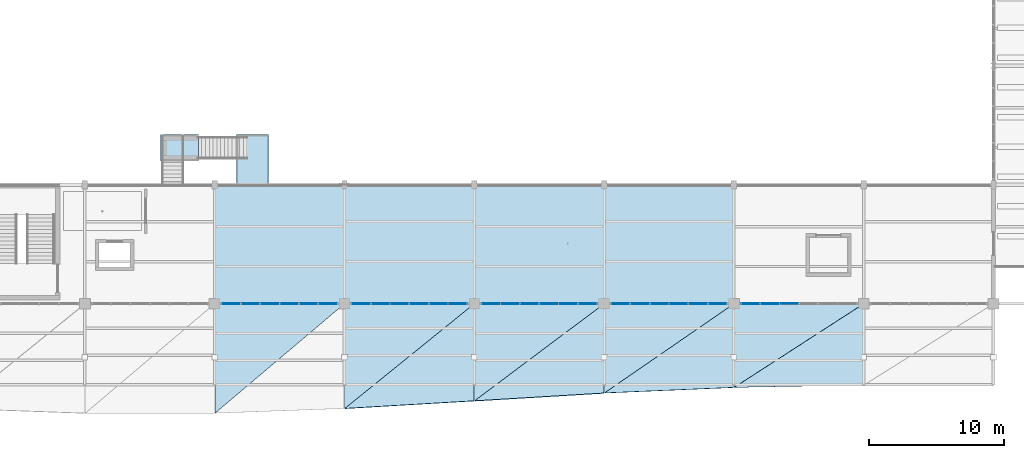
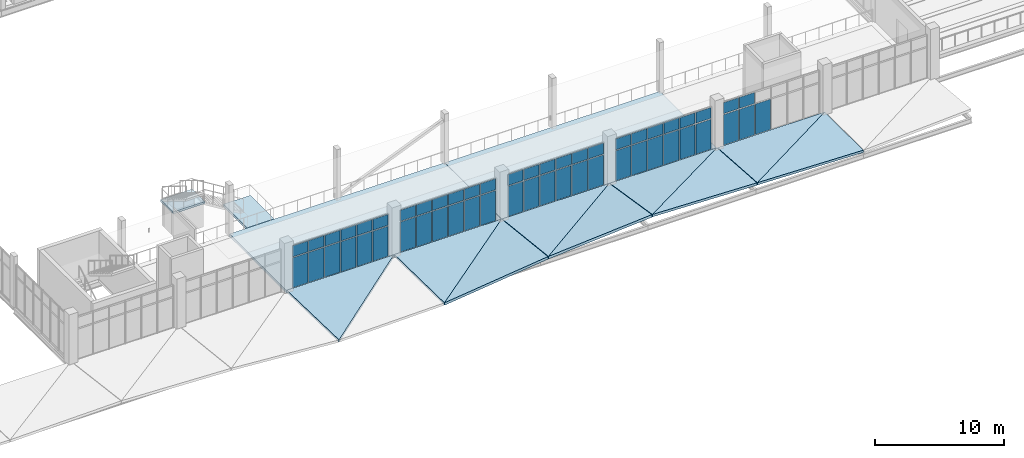
# One storey, part 119 of 157: 53 plates, 13 slabs, 6 elements without a shape of their own.
"""IFC4 building model written with IfcOpenShell, lengths in metres."""

from ifc_helpers import new_model, si_unit, direction, frame, origin, origin_2d, place, context, subcontext, project, spatial, polyline, rectangle, outline, extrude, material, layer, layer_set, type_object, element, aggregate, save


model = new_model("IFC4")

# Units and contexts
model_context = context("Model", 3, precision=1e-05, world=origin(), true_north=direction((0.0, 1.0)))
body_context = subcontext(model_context, "Body", "Model", "MODEL_VIEW")
ifc_project = project(units=[si_unit("LENGTHUNIT", "METRE"), si_unit("AREAUNIT", "SQUARE_METRE"), si_unit("VOLUMEUNIT", "CUBIC_METRE"), si_unit("PLANEANGLEUNIT", "RADIAN"), si_unit("MASSUNIT", "GRAM", prefix="KILO")], contexts=[model_context])

# Site, building, storey
site_placement = place(None, origin())
site = spatial("IfcSite", under=ifc_project, at=site_placement, CompositionType="ELEMENT")
building_placement = place(site_placement, origin())
building = spatial("IfcBuilding", under=site, at=building_placement, Name="Chalmorin Arch Market", CompositionType="ELEMENT")
storey_placement = place(building_placement, frame((0.0, 0.0, 4.800048828125)))
storey = spatial("IfcBuildingStorey", under=building, at=storey_placement, Name="L01", CompositionType="ELEMENT", Elevation=4.800048828125)

# Slabs
ifc_material_1 = material(Name="Concrete C40/50", Category="concrete")
ifc_layer_1 = layer(ifc_material_1, 0.219970703125)
ifc_layer_set_1 = layer_set([ifc_layer_1], Name="Concrete C40/50")
slab_type_1 = type_object("IfcSlabType", Name="ColonnadeCanopySlab-220", PredefinedType="ROOF", material=ifc_layer_set_1)
slab_1_placement = place(storey_placement, frame((67.219970703125, -2.10205078125, 0.25390625), z_axis=(0.0, 0.026452798925, 0.999650063487), x_axis=(0.763560331821, 0.645510527213, -0.017081537634)))
element("IfcSlab", 1, at=slab_1_placement, inside=storey, type_object=slab_type_1, Name="RS-220-074", PredefinedType="ROOF", context=body_context, shape_type="SweptSolid", body=[
    extrude(outline(polyline([(0.0, 0.0), (12.52037094561495, -9.749145934989656e-16), (5.220689433547392, 6.173278718664203), (0.0, 0.0)])), origin(), (0.0, 0.0, -1.0), 0.219970703125),
])
slab_2_placement = place(storey_placement, frame((76.820068359375, -1.7509765625, 0.1728515625), z_axis=(-0.075677214539, 0.110603971441, 0.990979172688), x_axis=(0.99584593801, 0.058849950215, 0.069480580807)))
element("IfcSlab", 2, at=slab_2_placement, inside=storey, type_object=slab_type_1, Name="RS-220-075", PredefinedType="ROOF", context=body_context, shape_type="SweptSolid", body=[
    extrude(outline(polyline([(0.0, 0.0), (9.599692169484364, -8.326672684688674e-17), (9.965840938033617, 7.201208409369984), (0.0, 0.0)])), origin(), (0.0, 0.0, -1.0), 0.219970703125),
])
slab_3_placement = place(storey_placement, frame((76.820068359375, -1.7509765625, 0.1728515625), z_axis=(0.0, 0.017176774546, 0.999852468325), x_axis=(0.777515251788, 0.628771304317, -0.010801856551)))
element("IfcSlab", 3, at=slab_3_placement, inside=storey, type_object=slab_type_1, Name="RS-220-076", PredefinedType="ROOF", context=body_context, shape_type="SweptSolid", body=[
    extrude(outline(polyline([(0.0, 0.0), (12.295340099296471, -1.9526481126463935e-15), (4.862438557727325, 6.011823937168875), (0.0, 0.0)])), origin(), (0.0, 0.0, -1.0), 0.219970703125),
])
slab_4_placement = place(storey_placement, frame((86.419921875, -1.18408203125, 0.843017578125), z_axis=(-0.034616375279, 0.156823077434, 0.98701987262), x_axis=(0.997871379927, 0.060038433299, 0.025457722778)))
element("IfcSlab", 4, at=slab_4_placement, inside=storey, type_object=slab_type_1, Name="RS-220-077", PredefinedType="ROOF", context=body_context, shape_type="SweptSolid", body=[
    extrude(outline(polyline([(0.0, 0.0), (9.580451735620075, 3.469446951953614e-17), (9.949385945237093, 6.661306600743838), (0.0, 0.0)])), origin(), (0.0, 0.0, -1.0), 0.219970703125),
])
slab_5_placement = place(storey_placement, frame((86.419921875, -1.18408203125, 0.843017578125), z_axis=(0.0, 0.111386756782, 0.993777133171), x_axis=(0.798438702451, 0.598329467407, -0.067063304877)))
element("IfcSlab", 5, at=slab_5_placement, inside=storey, type_object=slab_type_1, Name="RS-220-078", PredefinedType="ROOF", context=body_context, shape_type="SweptSolid", body=[
    extrude(outline(polyline([(0.0, 0.0), (11.973440872046549, 5.551115123125783e-16), (4.340320093097759, 5.755882859293911), (0.0, 0.0)])), origin(), (0.0, 0.0, -1.0), 0.219970703125),
])
slab_6_placement = place(storey_placement, frame((96.02001953125, -0.60693359375, 1.0859375), z_axis=(0.060403181315, 0.070431856101, 0.995686099799), x_axis=(0.997069809205, 0.042650082497, -0.063504063133)))
element("IfcSlab", 6, at=slab_6_placement, inside=storey, type_object=slab_type_1, Name="RS-220-079", PredefinedType="ROOF", context=body_context, shape_type="SweptSolid", body=[
    extrude(outline(polyline([(0.0, 0.0), (9.58815371349987, -2.0816681711721685e-17), (9.879397026633487, 6.186564079875345), (0.0, 0.0)])), origin(), (0.0, 0.0, -1.0), 0.219970703125),
])
slab_7_placement = place(storey_placement, frame((96.02001953125, -0.60693359375, 1.0859375), z_axis=(0.0, 0.156819686477, 0.987627250502), x_axis=(0.820142051725, 0.56508076397, -0.089725944879)))
element("IfcSlab", 7, at=slab_7_placement, inside=storey, type_object=slab_type_1, Name="RS-220-080", PredefinedType="ROOF", context=body_context, shape_type="SweptSolid", body=[
    extrude(outline(polyline([(0.0, 0.0), (11.656588725877672, 1.6653345369377348e-16), (3.815982656193098, 5.469882702212057), (0.0, 0.0)])), origin(), (0.0, 0.0, -1.0), 0.219970703125),
])
slab_8_placement = place(storey_placement, frame((105.6201171875, -0.197021484375, 0.473876953125), z_axis=(0.04061275793, 0.00732036251, 0.999148145265), x_axis=(0.998994619015, 0.018700693509, -0.04074353006)))
element("IfcSlab", 8, at=slab_8_placement, inside=storey, type_object=slab_type_1, Name="RS-220-081", PredefinedType="ROOF", context=body_context, shape_type="SweptSolid", body=[
    extrude(outline(polyline([(0.0, 0.0), (9.569435381496723, 1.0408340855860843e-17), (9.68339350492047, 5.997125232250343), (0.0, 0.0)])), origin(), (0.0, 0.0, -1.0), 0.219970703125),
])
slab_9_placement = place(storey_placement, frame((105.6201171875, -0.197021484375, 0.473876953125), z_axis=(0.0, 0.070061787896, 0.997542653663), x_axis=(0.83931153817, 0.542314815416, -0.038089143789)))
element("IfcSlab", 9, at=slab_9_placement, inside=storey, type_object=slab_type_1, Name="RS-220-082", PredefinedType="ROOF", context=body_context, shape_type="SweptSolid", body=[
    extrude(outline(polyline([(0.0, 0.0), (11.390066761105032, -3.0184188481996443e-16), (3.3664041878304176, 5.197200331756497), (0.0, 0.0)])), origin(), (0.0, 0.0, -1.0), 0.219970703125),
])
ifc_layer_2 = layer(ifc_material_1, 0.25)
ifc_layer_set_2 = layer_set([ifc_layer_2], Name="Concrete C40/50")
slab_type_2 = type_object("IfcSlabType", Name="MezzanineDeckSlab-250", PredefinedType="FLOOR", material=ifc_layer_set_2)
slab_10_placement = place(storey_placement, frame((0.0, 0.0, -0.25)))
element("IfcSlab", 10, at=slab_10_placement, inside=storey, type_object=slab_type_2, Name="FS-250-087", PredefinedType="FLOOR", context=body_context, shape_type="SweptSolid", body=[
    extrude(outline(polyline([(67.2099609375, 6.010009765625), (86.389892578125, 6.010009765625), (86.389892578125, 14.800048828125), (67.2099609375, 14.800048828125), (67.2099609375, 6.010009765625)])), origin(), (0.0, 0.0, 1.0), 0.25),
])
slab_11_placement = place(storey_placement, frame((0.0, 0.0, -0.25)))
element("IfcSlab", 11, at=slab_11_placement, inside=storey, type_object=slab_type_2, Name="FS-250-089", PredefinedType="FLOOR", context=body_context, shape_type="SweptSolid", body=[
    extrude(outline(polyline([(86.409912109375, 6.010009765625), (105.590087890625, 6.010009765625), (105.590087890625, 14.800048828125), (86.409912109375, 14.800048828125), (86.409912109375, 6.010009765625)])), origin(), (0.0, 0.0, 1.0), 0.25),
])
slab_12_placement = place(storey_placement, frame((0.0, 0.0, -0.25)))
element("IfcSlab", 12, at=slab_12_placement, inside=storey, type_object=slab_type_2, Name="LS-FST3-B", PredefinedType="FLOOR", context=body_context, shape_type="SweptSolid", body=[
    extrude(outline(polyline([(68.800048828125, 14.820068359375), (71.199951171875, 14.820068359375), (71.199951171875, 18.5), (68.800048828125, 18.5), (68.800048828125, 14.820068359375)])), origin(), (0.0, 0.0, 1.0), 0.25),
])

# Stair, slab
ifc_material_2 = material(Name="Steel A992 Grade 50", Category="steel")
stair_type = type_object("IfcStairType", Name="GalleryFeatureStair-Steel", PredefinedType="QUARTER_TURN_STAIR", material=ifc_material_2)
stair_placement = place(storey_placement, origin())
stair = element("IfcStair", 13, at=stair_placement, inside=storey, type_object=stair_type, Name="ST-28", PredefinedType="QUARTER_TURN_STAIR")
ifc_layer_3 = layer(ifc_material_1, 0.195068359375)
ifc_layer_set_3 = layer_set([ifc_layer_3], Name="Concrete C40/50")
slab_type_3 = type_object("IfcSlabType", Name="StairLandingSlab-195", PredefinedType="LANDING", material=ifc_layer_set_3)
slab_13_placement = place(storey_placement, frame((0.0, 0.0, 2.204833984375)))
slab_13 = element("IfcSlab", 14, at=slab_13_placement, type_object=slab_type_3, Name="LS-028", PredefinedType="LANDING", context=body_context, shape_type="SweptSolid", body=[
    extrude(outline(polyline([(63.199951171875, 16.550048828125), (66.02001953125, 16.550048828125), (66.02001953125, 18.5), (63.199951171875, 18.5), (63.199951171875, 16.550048828125)])), origin(), (0.0, 0.0, 1.0), 0.195068359375),
])
aggregate(stair, [slab_13])

# Curtain wall, plates
ifc_material_3 = material(Name="Aluminium 6063-T6", Category="aluminium")
ifc_layer_4 = layer(ifc_material_3, 0.159912109375)
ifc_layer_set_4 = layer_set([ifc_layer_4], Name="Aluminium 6063-T6")
curtain_wall_type_1 = type_object("IfcCurtainWallType", Name="MarketClerestoryCurtainWall-CW1-8580x4100", PredefinedType="NOTDEFINED", material=ifc_layer_set_4)
curtain_wall_1_placement = place(storey_placement, origin())
curtain_wall_1 = element("IfcCurtainWall", 15, at=curtain_wall_1_placement, inside=storey, type_object=curtain_wall_type_1, Name="CW-01-007", PredefinedType="NOTDEFINED")
ifc_material_4 = material(Name="Architectural Terracotta", Category="masonry")
ifc_layer_5 = layer(ifc_material_4, 0.044921875)
ifc_layer_set_5 = layer_set([ifc_layer_5], Name="Architectural Terracotta")
plate_type_1 = type_object("IfcPlateType", Name="TerracottaSpandrelPanel-45", PredefinedType="CURTAIN_PANEL", material=ifc_layer_set_5)
plate_1_placement = place(storey_placement, frame((68.425048828125, 6.0, 2.994140625), z_axis=(0.0, 0.0, 1.0), x_axis=(1.0, 0.0, 0.0)))
plate_1 = element("IfcPlate", 16, at=plate_1_placement, type_object=plate_type_1, Name="SP-45-007-01B", PredefinedType="CURTAIN_PANEL", context=body_context, shape_type="SweptSolid", body=[
    extrude(rectangle(XDim=1.35009765625, YDim=0.044921875, at=origin_2d()), origin(), (0.0, 0.0, 1.0), 1.031982421875),
])
plate_2_placement = place(storey_placement, frame((69.85498046875, 6.0, 2.994140625), z_axis=(0.0, 0.0, 1.0), x_axis=(1.0, 0.0, 0.0)))
plate_2 = element("IfcPlate", 17, at=plate_2_placement, type_object=plate_type_1, Name="SP-45-007-02B", PredefinedType="CURTAIN_PANEL", context=body_context, shape_type="SweptSolid", body=[
    extrude(rectangle(XDim=1.35009765625, YDim=0.044921875, at=origin_2d()), origin(), (0.0, 0.0, 1.0), 1.031982421875),
])
plate_3_placement = place(storey_placement, frame((71.284912109375, 6.0, 2.994140625), z_axis=(0.0, 0.0, 1.0), x_axis=(1.0, 0.0, 0.0)))
plate_3 = element("IfcPlate", 18, at=plate_3_placement, type_object=plate_type_1, Name="SP-45-007-03B", PredefinedType="CURTAIN_PANEL", context=body_context, shape_type="SweptSolid", body=[
    extrude(rectangle(XDim=1.35009765625, YDim=0.044921875, at=origin_2d()), origin(), (0.0, 0.0, 1.0), 1.031982421875),
])
plate_4_placement = place(storey_placement, frame((72.715087890625, 6.0, 2.994140625), z_axis=(0.0, 0.0, 1.0), x_axis=(1.0, 0.0, 0.0)))
plate_4 = element("IfcPlate", 19, at=plate_4_placement, type_object=plate_type_1, Name="SP-45-007-04B", PredefinedType="CURTAIN_PANEL", context=body_context, shape_type="SweptSolid", body=[
    extrude(rectangle(XDim=1.35009765625, YDim=0.044921875, at=origin_2d()), origin(), (0.0, 0.0, 1.0), 1.031982421875),
])
plate_5_placement = place(storey_placement, frame((74.14501953125, 6.0, 2.994140625), z_axis=(0.0, 0.0, 1.0), x_axis=(1.0, 0.0, 0.0)))
plate_5 = element("IfcPlate", 20, at=plate_5_placement, type_object=plate_type_1, Name="SP-45-007-05B", PredefinedType="CURTAIN_PANEL", context=body_context, shape_type="SweptSolid", body=[
    extrude(rectangle(XDim=1.35009765625, YDim=0.044921875, at=origin_2d()), origin(), (0.0, 0.0, 1.0), 1.031982421875),
])
plate_6_placement = place(storey_placement, frame((75.574951171875, 6.0, 2.994140625), z_axis=(0.0, 0.0, 1.0), x_axis=(1.0, 0.0, 0.0)))
plate_6 = element("IfcPlate", 21, at=plate_6_placement, type_object=plate_type_1, Name="SP-45-007-06B", PredefinedType="CURTAIN_PANEL", context=body_context, shape_type="SweptSolid", body=[
    extrude(rectangle(XDim=1.35009765625, YDim=0.044921875, at=origin_2d()), origin(), (0.0, 0.0, 1.0), 1.031982421875),
])

curtain_wall_2_placement = place(storey_placement, origin())
curtain_wall_2 = element("IfcCurtainWall", 22, at=curtain_wall_2_placement, inside=storey, type_object=curtain_wall_type_1, Name="CW-01-011", PredefinedType="NOTDEFINED")
plate_7_placement = place(storey_placement, frame((78.02490234375, 6.0, 2.994140625), z_axis=(0.0, 0.0, 1.0), x_axis=(1.0, 0.0, 0.0)))
plate_7 = element("IfcPlate", 23, at=plate_7_placement, type_object=plate_type_1, Name="SP-45-011-01B", PredefinedType="CURTAIN_PANEL", context=body_context, shape_type="SweptSolid", body=[
    extrude(rectangle(XDim=1.35009765625, YDim=0.044921875, at=origin_2d()), origin(), (0.0, 0.0, 1.0), 1.031982421875),
])
plate_8_placement = place(storey_placement, frame((79.455078125, 6.0, 2.994140625), z_axis=(0.0, 0.0, 1.0), x_axis=(1.0, 0.0, 0.0)))
plate_8 = element("IfcPlate", 24, at=plate_8_placement, type_object=plate_type_1, Name="SP-45-011-02B", PredefinedType="CURTAIN_PANEL", context=body_context, shape_type="SweptSolid", body=[
    extrude(rectangle(XDim=1.35009765625, YDim=0.044921875, at=origin_2d()), origin(), (0.0, 0.0, 1.0), 1.031982421875),
])
plate_9_placement = place(storey_placement, frame((80.885009765625, 6.0, 2.994140625), z_axis=(0.0, 0.0, 1.0), x_axis=(1.0, 0.0, 0.0)))
plate_9 = element("IfcPlate", 25, at=plate_9_placement, type_object=plate_type_1, Name="SP-45-011-03B", PredefinedType="CURTAIN_PANEL", context=body_context, shape_type="SweptSolid", body=[
    extrude(rectangle(XDim=1.35009765625, YDim=0.044921875, at=origin_2d()), origin(), (0.0, 0.0, 1.0), 1.031982421875),
])
plate_10_placement = place(storey_placement, frame((82.31494140625, 6.0, 2.994140625), z_axis=(0.0, 0.0, 1.0), x_axis=(1.0, 0.0, 0.0)))
plate_10 = element("IfcPlate", 26, at=plate_10_placement, type_object=plate_type_1, Name="SP-45-011-04B", PredefinedType="CURTAIN_PANEL", context=body_context, shape_type="SweptSolid", body=[
    extrude(rectangle(XDim=1.35009765625, YDim=0.044921875, at=origin_2d()), origin(), (0.0, 0.0, 1.0), 1.031982421875),
])
plate_11_placement = place(storey_placement, frame((83.7451171875, 6.0, 2.994140625), z_axis=(0.0, 0.0, 1.0), x_axis=(1.0, 0.0, 0.0)))
plate_11 = element("IfcPlate", 27, at=plate_11_placement, type_object=plate_type_1, Name="SP-45-011-05B", PredefinedType="CURTAIN_PANEL", context=body_context, shape_type="SweptSolid", body=[
    extrude(rectangle(XDim=1.35009765625, YDim=0.044921875, at=origin_2d()), origin(), (0.0, 0.0, 1.0), 1.031982421875),
])
plate_12_placement = place(storey_placement, frame((85.175048828125, 6.0, 2.994140625), z_axis=(0.0, 0.0, 1.0), x_axis=(1.0, 0.0, 0.0)))
plate_12 = element("IfcPlate", 28, at=plate_12_placement, type_object=plate_type_1, Name="SP-45-011-06B", PredefinedType="CURTAIN_PANEL", context=body_context, shape_type="SweptSolid", body=[
    extrude(rectangle(XDim=1.35009765625, YDim=0.044921875, at=origin_2d()), origin(), (0.0, 0.0, 1.0), 1.031982421875),
])

curtain_wall_3_placement = place(storey_placement, origin())
curtain_wall_3 = element("IfcCurtainWall", 29, at=curtain_wall_3_placement, inside=storey, type_object=curtain_wall_type_1, Name="CW-01-013", PredefinedType="NOTDEFINED")
plate_13_placement = place(storey_placement, frame((87.625, 6.0, 2.994140625), z_axis=(0.0, 0.0, 1.0), x_axis=(1.0, 0.0, 0.0)))
plate_13 = element("IfcPlate", 30, at=plate_13_placement, type_object=plate_type_1, Name="SP-45-013-01B", PredefinedType="CURTAIN_PANEL", context=body_context, shape_type="SweptSolid", body=[
    extrude(rectangle(XDim=1.35009765625, YDim=0.044921875, at=origin_2d()), origin(), (0.0, 0.0, 1.0), 1.031982421875),
])
plate_14_placement = place(storey_placement, frame((89.054931640625, 6.0, 2.994140625), z_axis=(0.0, 0.0, 1.0), x_axis=(1.0, 0.0, 0.0)))
plate_14 = element("IfcPlate", 31, at=plate_14_placement, type_object=plate_type_1, Name="SP-45-013-02B", PredefinedType="CURTAIN_PANEL", context=body_context, shape_type="SweptSolid", body=[
    extrude(rectangle(XDim=1.35009765625, YDim=0.044921875, at=origin_2d()), origin(), (0.0, 0.0, 1.0), 1.031982421875),
])
plate_15_placement = place(storey_placement, frame((90.485107421875, 6.0, 2.994140625), z_axis=(0.0, 0.0, 1.0), x_axis=(1.0, 0.0, 0.0)))
plate_15 = element("IfcPlate", 32, at=plate_15_placement, type_object=plate_type_1, Name="SP-45-013-03B", PredefinedType="CURTAIN_PANEL", context=body_context, shape_type="SweptSolid", body=[
    extrude(rectangle(XDim=1.35009765625, YDim=0.044921875, at=origin_2d()), origin(), (0.0, 0.0, 1.0), 1.031982421875),
])
plate_16_placement = place(storey_placement, frame((91.9150390625, 6.0, 2.994140625), z_axis=(0.0, 0.0, 1.0), x_axis=(1.0, 0.0, 0.0)))
plate_16 = element("IfcPlate", 33, at=plate_16_placement, type_object=plate_type_1, Name="SP-45-013-04B", PredefinedType="CURTAIN_PANEL", context=body_context, shape_type="SweptSolid", body=[
    extrude(rectangle(XDim=1.35009765625, YDim=0.044921875, at=origin_2d()), origin(), (0.0, 0.0, 1.0), 1.031982421875),
])
plate_17_placement = place(storey_placement, frame((93.344970703125, 6.0, 2.994140625), z_axis=(0.0, 0.0, 1.0), x_axis=(1.0, 0.0, 0.0)))
plate_17 = element("IfcPlate", 34, at=plate_17_placement, type_object=plate_type_1, Name="SP-45-013-05B", PredefinedType="CURTAIN_PANEL", context=body_context, shape_type="SweptSolid", body=[
    extrude(rectangle(XDim=1.35009765625, YDim=0.044921875, at=origin_2d()), origin(), (0.0, 0.0, 1.0), 1.031982421875),
])
plate_18_placement = place(storey_placement, frame((94.77490234375, 6.0, 2.994140625), z_axis=(0.0, 0.0, 1.0), x_axis=(1.0, 0.0, 0.0)))
plate_18 = element("IfcPlate", 35, at=plate_18_placement, type_object=plate_type_1, Name="SP-45-013-06B", PredefinedType="CURTAIN_PANEL", context=body_context, shape_type="SweptSolid", body=[
    extrude(rectangle(XDim=1.35009765625, YDim=0.044921875, at=origin_2d()), origin(), (0.0, 0.0, 1.0), 1.031982421875),
])

curtain_wall_4_placement = place(storey_placement, origin())
curtain_wall_4 = element("IfcCurtainWall", 36, at=curtain_wall_4_placement, inside=storey, type_object=curtain_wall_type_1, Name="CW-01-017", PredefinedType="NOTDEFINED")
plate_19_placement = place(storey_placement, frame((97.22509765625, 6.0, 2.994140625), z_axis=(0.0, 0.0, 1.0), x_axis=(1.0, 0.0, 0.0)))
plate_19 = element("IfcPlate", 37, at=plate_19_placement, type_object=plate_type_1, Name="SP-45-017-01B", PredefinedType="CURTAIN_PANEL", context=body_context, shape_type="SweptSolid", body=[
    extrude(rectangle(XDim=1.35009765625, YDim=0.044921875, at=origin_2d()), origin(), (0.0, 0.0, 1.0), 1.031982421875),
])
plate_20_placement = place(storey_placement, frame((98.655029296875, 6.0, 2.994140625), z_axis=(0.0, 0.0, 1.0), x_axis=(1.0, 0.0, 0.0)))
plate_20 = element("IfcPlate", 38, at=plate_20_placement, type_object=plate_type_1, Name="SP-45-017-02B", PredefinedType="CURTAIN_PANEL", context=body_context, shape_type="SweptSolid", body=[
    extrude(rectangle(XDim=1.35009765625, YDim=0.044921875, at=origin_2d()), origin(), (0.0, 0.0, 1.0), 1.031982421875),
])
plate_21_placement = place(storey_placement, frame((100.0849609375, 6.0, 2.994140625), z_axis=(0.0, 0.0, 1.0), x_axis=(1.0, 0.0, 0.0)))
plate_21 = element("IfcPlate", 39, at=plate_21_placement, type_object=plate_type_1, Name="SP-45-017-03B", PredefinedType="CURTAIN_PANEL", context=body_context, shape_type="SweptSolid", body=[
    extrude(rectangle(XDim=1.35009765625, YDim=0.044921875, at=origin_2d()), origin(), (0.0, 0.0, 1.0), 1.031982421875),
])
plate_22_placement = place(storey_placement, frame((101.514892578125, 6.0, 2.994140625), z_axis=(0.0, 0.0, 1.0), x_axis=(1.0, 0.0, 0.0)))
plate_22 = element("IfcPlate", 40, at=plate_22_placement, type_object=plate_type_1, Name="SP-45-017-04B", PredefinedType="CURTAIN_PANEL", context=body_context, shape_type="SweptSolid", body=[
    extrude(rectangle(XDim=1.35009765625, YDim=0.044921875, at=origin_2d()), origin(), (0.0, 0.0, 1.0), 1.031982421875),
])
plate_23_placement = place(storey_placement, frame((102.945068359375, 6.0, 2.994140625), z_axis=(0.0, 0.0, 1.0), x_axis=(1.0, 0.0, 0.0)))
plate_23 = element("IfcPlate", 41, at=plate_23_placement, type_object=plate_type_1, Name="SP-45-017-05B", PredefinedType="CURTAIN_PANEL", context=body_context, shape_type="SweptSolid", body=[
    extrude(rectangle(XDim=1.35009765625, YDim=0.044921875, at=origin_2d()), origin(), (0.0, 0.0, 1.0), 1.031982421875),
])
plate_24_placement = place(storey_placement, frame((104.375, 6.0, 2.994140625), z_axis=(0.0, 0.0, 1.0), x_axis=(1.0, 0.0, 0.0)))
plate_24 = element("IfcPlate", 42, at=plate_24_placement, type_object=plate_type_1, Name="SP-45-017-06B", PredefinedType="CURTAIN_PANEL", context=body_context, shape_type="SweptSolid", body=[
    extrude(rectangle(XDim=1.35009765625, YDim=0.044921875, at=origin_2d()), origin(), (0.0, 0.0, 1.0), 1.031982421875),
])

ifc_layer_6 = layer(ifc_material_3, 0.159912109375)
ifc_layer_set_6 = layer_set([ifc_layer_6], Name="Aluminium 6063-T6")
curtain_wall_type_2 = type_object("IfcCurtainWallType", Name="MarketClerestoryCurtainWall-CW1-8580x4150", PredefinedType="NOTDEFINED", material=ifc_layer_set_6)
curtain_wall_5_placement = place(storey_placement, origin())
curtain_wall_5 = element("IfcCurtainWall", 43, at=curtain_wall_5_placement, inside=storey, type_object=curtain_wall_type_2, Name="CW-01-020", PredefinedType="NOTDEFINED")
plate_25_placement = place(storey_placement, frame((106.824951171875, 6.0, 3.03271484375), z_axis=(0.0, 0.0, 1.0), x_axis=(1.0, 0.0, 0.0)))
plate_25 = element("IfcPlate", 44, at=plate_25_placement, type_object=plate_type_1, Name="SP-45-020-01B", PredefinedType="CURTAIN_PANEL", context=body_context, shape_type="SweptSolid", body=[
    extrude(rectangle(XDim=1.35009765625, YDim=0.044921875, at=origin_2d()), origin(), (0.0, 0.0, 1.0), 1.047119140625),
])
plate_26_placement = place(storey_placement, frame((108.2548828125, 6.0, 3.03271484375), z_axis=(0.0, 0.0, 1.0), x_axis=(1.0, 0.0, 0.0)))
plate_26 = element("IfcPlate", 45, at=plate_26_placement, type_object=plate_type_1, Name="SP-45-020-02B", PredefinedType="CURTAIN_PANEL", context=body_context, shape_type="SweptSolid", body=[
    extrude(rectangle(XDim=1.35009765625, YDim=0.044921875, at=origin_2d()), origin(), (0.0, 0.0, 1.0), 1.047119140625),
])

# Plate
ifc_material_5 = material(Name="Laminated Acoustic Glass", Category="glass")
ifc_layer_7 = layer(ifc_material_5, 0.031982421875)
ifc_layer_set_7 = layer_set([ifc_layer_7], Name="Laminated Acoustic Glass")
plate_type_2 = type_object("IfcPlateType", Name="TintedClerestoryGlass-32", PredefinedType="CURTAIN_PANEL", material=ifc_layer_set_7)
plate_27_placement = place(storey_placement, frame((68.425048828125, 6.0, 0.070068359375), z_axis=(0.0, 0.0, 1.0), x_axis=(1.0, 0.0, 0.0)))
plate_27 = element("IfcPlate", 46, at=plate_27_placement, type_object=plate_type_2, Name="GL-32-007-01A", PredefinedType="CURTAIN_PANEL", context=body_context, shape_type="SweptSolid", body=[
    extrude(rectangle(XDim=1.35009765625, YDim=0.031982421875, at=origin_2d()), origin(), (0.0, 0.0, 1.0), 2.833984375),
])

plate_28_placement = place(storey_placement, frame((69.85498046875, 6.0, 0.070068359375), z_axis=(0.0, 0.0, 1.0), x_axis=(1.0, 0.0, 0.0)))
plate_28 = element("IfcPlate", 47, at=plate_28_placement, type_object=plate_type_2, Name="GL-32-007-02A", PredefinedType="CURTAIN_PANEL", context=body_context, shape_type="SweptSolid", body=[
    extrude(rectangle(XDim=1.35009765625, YDim=0.031982421875, at=origin_2d()), origin(), (0.0, 0.0, 1.0), 2.833984375),
])

plate_29_placement = place(storey_placement, frame((71.284912109375, 6.0, 0.070068359375), z_axis=(0.0, 0.0, 1.0), x_axis=(1.0, 0.0, 0.0)))
plate_29 = element("IfcPlate", 48, at=plate_29_placement, type_object=plate_type_2, Name="GL-32-007-03A", PredefinedType="CURTAIN_PANEL", context=body_context, shape_type="SweptSolid", body=[
    extrude(rectangle(XDim=1.35009765625, YDim=0.031982421875, at=origin_2d()), origin(), (0.0, 0.0, 1.0), 2.833984375),
])

plate_30_placement = place(storey_placement, frame((72.715087890625, 6.0, 0.070068359375), z_axis=(0.0, 0.0, 1.0), x_axis=(1.0, 0.0, 0.0)))
plate_30 = element("IfcPlate", 49, at=plate_30_placement, type_object=plate_type_2, Name="GL-32-007-04A", PredefinedType="CURTAIN_PANEL", context=body_context, shape_type="SweptSolid", body=[
    extrude(rectangle(XDim=1.35009765625, YDim=0.031982421875, at=origin_2d()), origin(), (0.0, 0.0, 1.0), 2.833984375),
])

plate_31_placement = place(storey_placement, frame((74.14501953125, 6.0, 0.070068359375), z_axis=(0.0, 0.0, 1.0), x_axis=(1.0, 0.0, 0.0)))
plate_31 = element("IfcPlate", 50, at=plate_31_placement, type_object=plate_type_2, Name="GL-32-007-05A", PredefinedType="CURTAIN_PANEL", context=body_context, shape_type="SweptSolid", body=[
    extrude(rectangle(XDim=1.35009765625, YDim=0.031982421875, at=origin_2d()), origin(), (0.0, 0.0, 1.0), 2.833984375),
])

plate_32_placement = place(storey_placement, frame((75.574951171875, 6.0, 0.070068359375), z_axis=(0.0, 0.0, 1.0), x_axis=(1.0, 0.0, 0.0)))
plate_32 = element("IfcPlate", 51, at=plate_32_placement, type_object=plate_type_2, Name="GL-32-007-06A", PredefinedType="CURTAIN_PANEL", context=body_context, shape_type="SweptSolid", body=[
    extrude(rectangle(XDim=1.35009765625, YDim=0.031982421875, at=origin_2d()), origin(), (0.0, 0.0, 1.0), 2.833984375),
])

aggregate(curtain_wall_1, [plate_27, plate_1, plate_28, plate_2, plate_29, plate_3, plate_30, plate_4, plate_31, plate_5, plate_32, plate_6])

plate_33_placement = place(storey_placement, frame((78.02490234375, 6.0, 0.070068359375), z_axis=(0.0, 0.0, 1.0), x_axis=(1.0, 0.0, 0.0)))
plate_33 = element("IfcPlate", 52, at=plate_33_placement, type_object=plate_type_2, Name="GL-32-011-01A", PredefinedType="CURTAIN_PANEL", context=body_context, shape_type="SweptSolid", body=[
    extrude(rectangle(XDim=1.35009765625, YDim=0.031982421875, at=origin_2d()), origin(), (0.0, 0.0, 1.0), 2.833984375),
])

plate_34_placement = place(storey_placement, frame((79.455078125, 6.0, 0.070068359375), z_axis=(0.0, 0.0, 1.0), x_axis=(1.0, 0.0, 0.0)))
plate_34 = element("IfcPlate", 53, at=plate_34_placement, type_object=plate_type_2, Name="GL-32-011-02A", PredefinedType="CURTAIN_PANEL", context=body_context, shape_type="SweptSolid", body=[
    extrude(rectangle(XDim=1.35009765625, YDim=0.031982421875, at=origin_2d()), origin(), (0.0, 0.0, 1.0), 2.833984375),
])

plate_35_placement = place(storey_placement, frame((80.885009765625, 6.0, 0.070068359375), z_axis=(0.0, 0.0, 1.0), x_axis=(1.0, 0.0, 0.0)))
plate_35 = element("IfcPlate", 54, at=plate_35_placement, type_object=plate_type_2, Name="GL-32-011-03A", PredefinedType="CURTAIN_PANEL", context=body_context, shape_type="SweptSolid", body=[
    extrude(rectangle(XDim=1.35009765625, YDim=0.031982421875, at=origin_2d()), origin(), (0.0, 0.0, 1.0), 2.833984375),
])

plate_36_placement = place(storey_placement, frame((82.31494140625, 6.0, 0.070068359375), z_axis=(0.0, 0.0, 1.0), x_axis=(1.0, 0.0, 0.0)))
plate_36 = element("IfcPlate", 55, at=plate_36_placement, type_object=plate_type_2, Name="GL-32-011-04A", PredefinedType="CURTAIN_PANEL", context=body_context, shape_type="SweptSolid", body=[
    extrude(rectangle(XDim=1.35009765625, YDim=0.031982421875, at=origin_2d()), origin(), (0.0, 0.0, 1.0), 2.833984375),
])

plate_37_placement = place(storey_placement, frame((83.7451171875, 6.0, 0.070068359375), z_axis=(0.0, 0.0, 1.0), x_axis=(1.0, 0.0, 0.0)))
plate_37 = element("IfcPlate", 56, at=plate_37_placement, type_object=plate_type_2, Name="GL-32-011-05A", PredefinedType="CURTAIN_PANEL", context=body_context, shape_type="SweptSolid", body=[
    extrude(rectangle(XDim=1.35009765625, YDim=0.031982421875, at=origin_2d()), origin(), (0.0, 0.0, 1.0), 2.833984375),
])

plate_38_placement = place(storey_placement, frame((85.175048828125, 6.0, 0.070068359375), z_axis=(0.0, 0.0, 1.0), x_axis=(1.0, 0.0, 0.0)))
plate_38 = element("IfcPlate", 57, at=plate_38_placement, type_object=plate_type_2, Name="GL-32-011-06A", PredefinedType="CURTAIN_PANEL", context=body_context, shape_type="SweptSolid", body=[
    extrude(rectangle(XDim=1.35009765625, YDim=0.031982421875, at=origin_2d()), origin(), (0.0, 0.0, 1.0), 2.833984375),
])

aggregate(curtain_wall_2, [plate_33, plate_7, plate_34, plate_8, plate_35, plate_9, plate_36, plate_10, plate_37, plate_11, plate_38, plate_12])

plate_39_placement = place(storey_placement, frame((87.625, 6.0, 0.070068359375), z_axis=(0.0, 0.0, 1.0), x_axis=(1.0, 0.0, 0.0)))
plate_39 = element("IfcPlate", 58, at=plate_39_placement, type_object=plate_type_2, Name="GL-32-013-01A", PredefinedType="CURTAIN_PANEL", context=body_context, shape_type="SweptSolid", body=[
    extrude(rectangle(XDim=1.35009765625, YDim=0.031982421875, at=origin_2d()), origin(), (0.0, 0.0, 1.0), 2.833984375),
])

plate_40_placement = place(storey_placement, frame((89.054931640625, 6.0, 0.070068359375), z_axis=(0.0, 0.0, 1.0), x_axis=(1.0, 0.0, 0.0)))
plate_40 = element("IfcPlate", 59, at=plate_40_placement, type_object=plate_type_2, Name="GL-32-013-02A", PredefinedType="CURTAIN_PANEL", context=body_context, shape_type="SweptSolid", body=[
    extrude(rectangle(XDim=1.35009765625, YDim=0.031982421875, at=origin_2d()), origin(), (0.0, 0.0, 1.0), 2.833984375),
])

plate_41_placement = place(storey_placement, frame((90.485107421875, 6.0, 0.070068359375), z_axis=(0.0, 0.0, 1.0), x_axis=(1.0, 0.0, 0.0)))
plate_41 = element("IfcPlate", 60, at=plate_41_placement, type_object=plate_type_2, Name="GL-32-013-03A", PredefinedType="CURTAIN_PANEL", context=body_context, shape_type="SweptSolid", body=[
    extrude(rectangle(XDim=1.35009765625, YDim=0.031982421875, at=origin_2d()), origin(), (0.0, 0.0, 1.0), 2.833984375),
])

plate_42_placement = place(storey_placement, frame((91.9150390625, 6.0, 0.070068359375), z_axis=(0.0, 0.0, 1.0), x_axis=(1.0, 0.0, 0.0)))
plate_42 = element("IfcPlate", 61, at=plate_42_placement, type_object=plate_type_2, Name="GL-32-013-04A", PredefinedType="CURTAIN_PANEL", context=body_context, shape_type="SweptSolid", body=[
    extrude(rectangle(XDim=1.35009765625, YDim=0.031982421875, at=origin_2d()), origin(), (0.0, 0.0, 1.0), 2.833984375),
])

plate_43_placement = place(storey_placement, frame((93.344970703125, 6.0, 0.070068359375), z_axis=(0.0, 0.0, 1.0), x_axis=(1.0, 0.0, 0.0)))
plate_43 = element("IfcPlate", 62, at=plate_43_placement, type_object=plate_type_2, Name="GL-32-013-05A", PredefinedType="CURTAIN_PANEL", context=body_context, shape_type="SweptSolid", body=[
    extrude(rectangle(XDim=1.35009765625, YDim=0.031982421875, at=origin_2d()), origin(), (0.0, 0.0, 1.0), 2.833984375),
])

plate_44_placement = place(storey_placement, frame((94.77490234375, 6.0, 0.070068359375), z_axis=(0.0, 0.0, 1.0), x_axis=(1.0, 0.0, 0.0)))
plate_44 = element("IfcPlate", 63, at=plate_44_placement, type_object=plate_type_2, Name="GL-32-013-06A", PredefinedType="CURTAIN_PANEL", context=body_context, shape_type="SweptSolid", body=[
    extrude(rectangle(XDim=1.35009765625, YDim=0.031982421875, at=origin_2d()), origin(), (0.0, 0.0, 1.0), 2.833984375),
])

aggregate(curtain_wall_3, [plate_39, plate_13, plate_40, plate_14, plate_41, plate_15, plate_42, plate_16, plate_43, plate_17, plate_44, plate_18])

plate_45_placement = place(storey_placement, frame((97.22509765625, 6.0, 0.070068359375), z_axis=(0.0, 0.0, 1.0), x_axis=(1.0, 0.0, 0.0)))
plate_45 = element("IfcPlate", 64, at=plate_45_placement, type_object=plate_type_2, Name="GL-32-017-01A", PredefinedType="CURTAIN_PANEL", context=body_context, shape_type="SweptSolid", body=[
    extrude(rectangle(XDim=1.35009765625, YDim=0.031982421875, at=origin_2d()), origin(), (0.0, 0.0, 1.0), 2.833984375),
])

plate_46_placement = place(storey_placement, frame((98.655029296875, 6.0, 0.070068359375), z_axis=(0.0, 0.0, 1.0), x_axis=(1.0, 0.0, 0.0)))
plate_46 = element("IfcPlate", 65, at=plate_46_placement, type_object=plate_type_2, Name="GL-32-017-02A", PredefinedType="CURTAIN_PANEL", context=body_context, shape_type="SweptSolid", body=[
    extrude(rectangle(XDim=1.35009765625, YDim=0.031982421875, at=origin_2d()), origin(), (0.0, 0.0, 1.0), 2.833984375),
])

plate_47_placement = place(storey_placement, frame((100.0849609375, 6.0, 0.070068359375), z_axis=(0.0, 0.0, 1.0), x_axis=(1.0, 0.0, 0.0)))
plate_47 = element("IfcPlate", 66, at=plate_47_placement, type_object=plate_type_2, Name="GL-32-017-03A", PredefinedType="CURTAIN_PANEL", context=body_context, shape_type="SweptSolid", body=[
    extrude(rectangle(XDim=1.35009765625, YDim=0.031982421875, at=origin_2d()), origin(), (0.0, 0.0, 1.0), 2.833984375),
])

plate_48_placement = place(storey_placement, frame((101.514892578125, 6.0, 0.070068359375), z_axis=(0.0, 0.0, 1.0), x_axis=(1.0, 0.0, 0.0)))
plate_48 = element("IfcPlate", 67, at=plate_48_placement, type_object=plate_type_2, Name="GL-32-017-04A", PredefinedType="CURTAIN_PANEL", context=body_context, shape_type="SweptSolid", body=[
    extrude(rectangle(XDim=1.35009765625, YDim=0.031982421875, at=origin_2d()), origin(), (0.0, 0.0, 1.0), 2.833984375),
])

plate_49_placement = place(storey_placement, frame((102.945068359375, 6.0, 0.070068359375), z_axis=(0.0, 0.0, 1.0), x_axis=(1.0, 0.0, 0.0)))
plate_49 = element("IfcPlate", 68, at=plate_49_placement, type_object=plate_type_2, Name="GL-32-017-05A", PredefinedType="CURTAIN_PANEL", context=body_context, shape_type="SweptSolid", body=[
    extrude(rectangle(XDim=1.35009765625, YDim=0.031982421875, at=origin_2d()), origin(), (0.0, 0.0, 1.0), 2.833984375),
])

plate_50_placement = place(storey_placement, frame((104.375, 6.0, 0.070068359375), z_axis=(0.0, 0.0, 1.0), x_axis=(1.0, 0.0, 0.0)))
plate_50 = element("IfcPlate", 69, at=plate_50_placement, type_object=plate_type_2, Name="GL-32-017-06A", PredefinedType="CURTAIN_PANEL", context=body_context, shape_type="SweptSolid", body=[
    extrude(rectangle(XDim=1.35009765625, YDim=0.031982421875, at=origin_2d()), origin(), (0.0, 0.0, 1.0), 2.833984375),
])

aggregate(curtain_wall_4, [plate_45, plate_19, plate_46, plate_20, plate_47, plate_21, plate_48, plate_22, plate_49, plate_23, plate_50, plate_24])

plate_51_placement = place(storey_placement, frame((106.824951171875, 6.0, 0.06982421875), z_axis=(0.0, 0.0, 1.0), x_axis=(1.0, 0.0, 0.0)))
plate_51 = element("IfcPlate", 70, at=plate_51_placement, type_object=plate_type_2, Name="GL-32-020-01A", PredefinedType="CURTAIN_PANEL", context=body_context, shape_type="SweptSolid", body=[
    extrude(rectangle(XDim=1.35009765625, YDim=0.031982421875, at=origin_2d()), origin(), (0.0, 0.0, 1.0), 2.873046875),
])

plate_52_placement = place(storey_placement, frame((108.2548828125, 6.0, 0.06982421875), z_axis=(0.0, 0.0, 1.0), x_axis=(1.0, 0.0, 0.0)))
plate_52 = element("IfcPlate", 71, at=plate_52_placement, type_object=plate_type_2, Name="GL-32-020-02A", PredefinedType="CURTAIN_PANEL", context=body_context, shape_type="SweptSolid", body=[
    extrude(rectangle(XDim=1.35009765625, YDim=0.031982421875, at=origin_2d()), origin(), (0.0, 0.0, 1.0), 2.873046875),
])

plate_53_placement = place(storey_placement, frame((109.68505859375, 6.0, 0.06982421875), z_axis=(0.0, 0.0, 1.0), x_axis=(1.0, 0.0, 0.0)))
plate_53 = element("IfcPlate", 72, at=plate_53_placement, type_object=plate_type_2, Name="GL-32-020-03A", PredefinedType="CURTAIN_PANEL", context=body_context, shape_type="SweptSolid", body=[
    extrude(rectangle(XDim=1.35009765625, YDim=0.031982421875, at=origin_2d()), origin(), (0.0, 0.0, 1.0), 2.873046875),
])

aggregate(curtain_wall_5, [plate_51, plate_25, plate_52, plate_26, plate_53])

save(model, "model.ifc")
